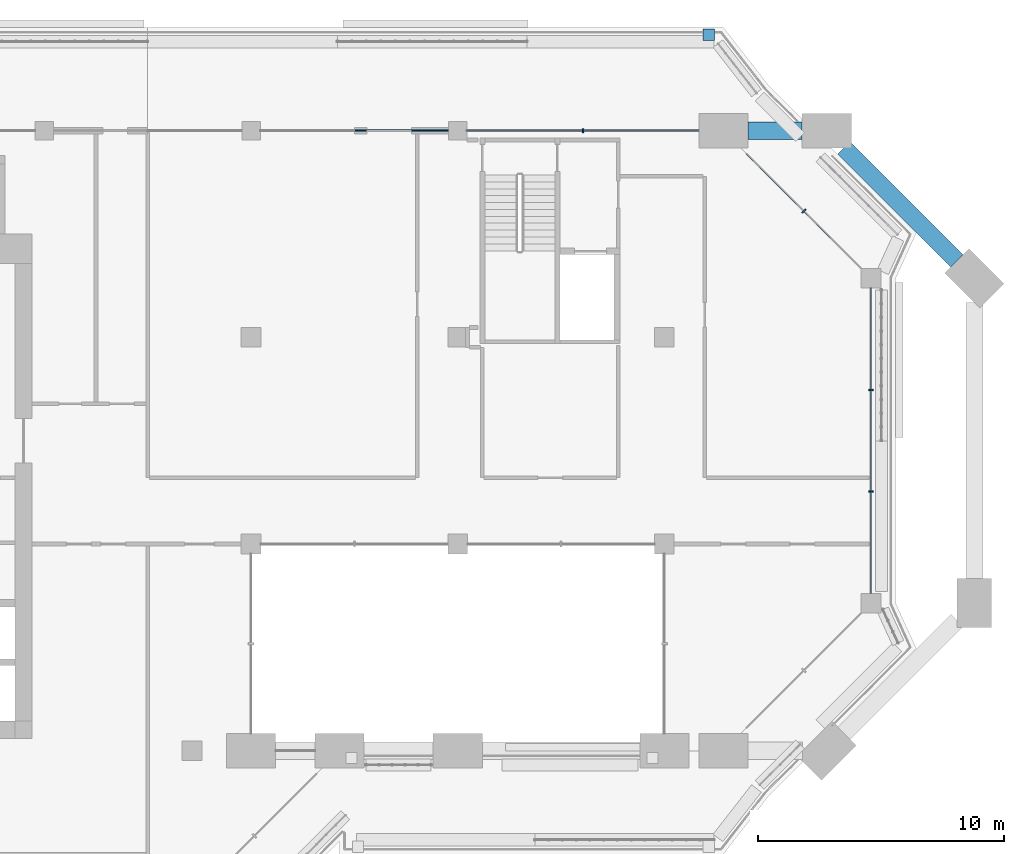
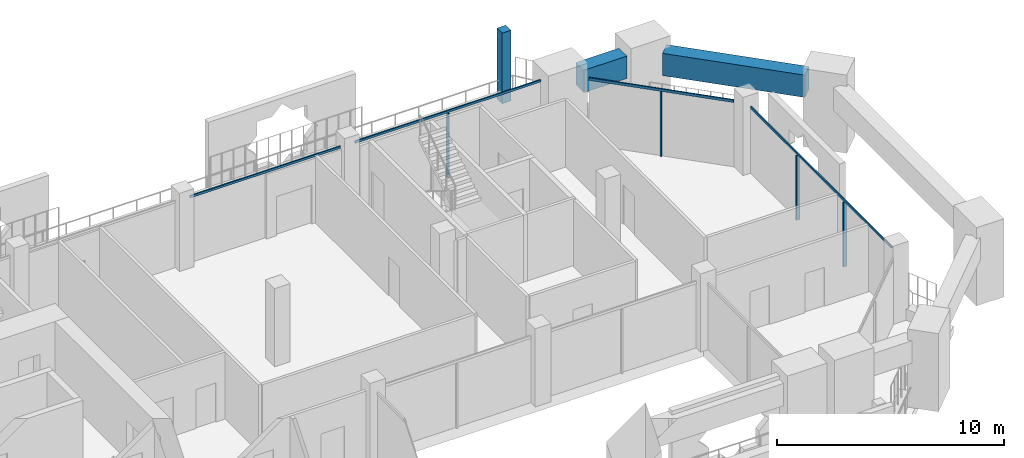
# One storey, part 7 of 22: 9 members, 2 beams, 4 elements without a shape of their own.
"""IFC4 building model written with IfcOpenShell, lengths in metres."""

from ifc_helpers import new_model, si_unit, direction, frame, origin, origin_2d, place, context, subcontext, project, spatial, rectangle, extrude, material, layer, layer_set, material_profile, profile_set, type_object, element, aggregate, save


model = new_model("IFC4")

# Units and contexts
model_context = context("Model", 3, precision=1e-05, world=origin(), true_north=direction((0.0, 1.0)))
body_context = subcontext(model_context, "Body", "Model", "MODEL_VIEW")
ifc_project = project(units=[si_unit("LENGTHUNIT", "METRE"), si_unit("AREAUNIT", "SQUARE_METRE"), si_unit("VOLUMEUNIT", "CUBIC_METRE"), si_unit("PLANEANGLEUNIT", "RADIAN"), si_unit("MASSUNIT", "GRAM", prefix="KILO")], contexts=[model_context])

# Site, building, storey
site_placement = place(None, origin())
site = spatial("IfcSite", under=ifc_project, at=site_placement, CompositionType="ELEMENT")
building_placement = place(site_placement, origin())
building = spatial("IfcBuilding", under=site, at=building_placement, Name="Kawkab Arch Medical Tower", CompositionType="ELEMENT")
storey_placement = place(building_placement, frame((0.0, 0.0, 286.0)))
storey = spatial("IfcBuildingStorey", under=building, at=storey_placement, Name="L66", CompositionType="ELEMENT", Elevation=286.0)

# Curtain wall, members
ifc_material_1 = material(Name="Bronze anodised aluminium curtain wall frame", Category="aluminium")
ifc_layer_1 = layer(ifc_material_1, 0.159912109375)
ifc_layer_set_1 = layer_set([ifc_layer_1], Name="Bronze anodised aluminium curtain wall frame")
curtain_wall_type_1 = type_object("IfcCurtainWallType", Name="CW1 ward curtain wall", PredefinedType="NOTDEFINED", material=ifc_layer_set_1)
placement = place(storey_placement, origin())
curtain_wall_1 = element("IfcCurtainWall", 1, at=placement, inside=storey, type_object=curtain_wall_type_1, Name="CW1 Ward curtain wall R08", PredefinedType="NOTDEFINED")
ifc_material_2 = material(Name="Bronze anodised aluminium curtain wall frame", Category="aluminium")
ifc_material_profile_1 = material_profile(ifc_material_2, rectangle(XDim=0.179931640625, YDim=0.06005859375, at=origin_2d()), Name="AL 60x180")
ifc_profile_set_1 = profile_set([ifc_material_profile_1], Name="Bronze anodised aluminium curtain wall frame")
member_type_1 = type_object("IfcMemberType", Name="CW1 mullion 60 x 180", PredefinedType="MULLION", material=ifc_profile_set_1)
member_1_placement = place(storey_placement, frame((58.800048828125, -14.666748046875, 0.0), z_axis=(0.0, 0.0, 1.0), x_axis=(-1.0, 0.0, 0.0)))
member_1 = element("IfcMember", 2, at=member_1_placement, type_object=member_type_1, Name="CW1 mullion 1.1", PredefinedType="MULLION", context=body_context, shape_type="SweptSolid", body=[
    extrude(rectangle(XDim=0.179931640625, YDim=0.06005859375, at=origin_2d()), origin(), (0.0, 0.0, 1.0), 3.47998046875),
])
member_2_placement = place(storey_placement, frame((58.800048828125, -10.533447265625, 0.0), z_axis=(0.0, 0.0, 1.0), x_axis=(-1.0, 0.0, 0.0)))
member_2 = element("IfcMember", 3, at=member_2_placement, type_object=member_type_1, Name="CW1 mullion 1.2", PredefinedType="MULLION", context=body_context, shape_type="SweptSolid", body=[
    extrude(rectangle(XDim=0.179931640625, YDim=0.06005859375, at=origin_2d()), origin(), (0.0, 0.0, 1.0), 3.47998046875),
])

# Curtain wall, member
curtain_wall_2 = element("IfcCurtainWall", 4, at=placement, inside=storey, type_object=curtain_wall_type_1, Name="CW1 Ward curtain wall R10", PredefinedType="NOTDEFINED")
member_3_placement = place(storey_placement, frame((47.08740234375, 0.0, 0.0), z_axis=(0.0, 0.0, 1.0), x_axis=(0.0, -1.0, 0.0)))
member_3 = element("IfcMember", 5, at=member_3_placement, type_object=member_type_1, Name="CW1 mullion 1.1", PredefinedType="MULLION", context=body_context, shape_type="SweptSolid", body=[
    extrude(rectangle(XDim=0.179931640625, YDim=0.06005859375, at=origin_2d()), origin(), (0.0, 0.0, 1.0), 3.47998046875),
])

# Member
ifc_material_3 = material(Name="Bronze anodised aluminium curtain wall frame", Category="aluminium")
ifc_material_profile_2 = material_profile(ifc_material_3, rectangle(XDim=0.06005859375, YDim=0.1201171875, at=origin_2d()), Name="AL 60x120")
ifc_profile_set_2 = profile_set([ifc_material_profile_2], Name="Bronze anodised aluminium curtain wall frame")
member_type_2 = type_object("IfcMemberType", Name="CW1 transom 120 x 60", PredefinedType="USERDEFINED", material=ifc_profile_set_2)
member_4_placement = place(storey_placement, frame((58.800048828125, -18.800048828125, 3.5400390625), z_axis=(0.0, 1.0, 0.0), x_axis=(-1.0, 0.0, 0.0)))
member_4 = element("IfcMember", 6, at=member_4_placement, type_object=member_type_2, Name="CW1 transom 1", ObjectType="TRANSOM", PredefinedType="USERDEFINED", context=body_context, shape_type="SweptSolid", body=[
    extrude(rectangle(XDim=0.06005859375, YDim=0.1201171875, at=origin_2d()), origin(), (0.0, 0.0, 1.0), 12.400146484375),
])

aggregate(curtain_wall_1, [member_4, member_1, member_2])

member_5_placement = place(storey_placement, frame((51.800048828125, 0.0, 3.5400390625), z_axis=(-1.0, 0.0, 0.0), x_axis=(0.0, -1.0, 0.0)))
member_5 = element("IfcMember", 7, at=member_5_placement, type_object=member_type_2, Name="CW1 transom 1", ObjectType="TRANSOM", PredefinedType="USERDEFINED", context=body_context, shape_type="SweptSolid", body=[
    extrude(rectangle(XDim=0.06005859375, YDim=0.1201171875, at=origin_2d()), origin(), (0.0, 0.0, 1.0), 9.425048828125),
])

member_6_placement = place(storey_placement, frame((41.625, 0.0, 3.5400390625), z_axis=(-1.0, 0.0, 0.0), x_axis=(0.0, -1.0, 0.0)))
member_6 = element("IfcMember", 8, at=member_6_placement, type_object=member_type_2, Name="CW1 transom 2", ObjectType="TRANSOM", PredefinedType="USERDEFINED", context=body_context, shape_type="SweptSolid", body=[
    extrude(rectangle(XDim=0.06005859375, YDim=0.1201171875, at=origin_2d()), origin(), (0.0, 0.0, 1.0), 7.64990234375),
])

aggregate(curtain_wall_2, [member_5, member_3, member_6])

# Curtain wall, members
ifc_material_4 = material(Name="Bronze anodised aluminium curtain wall frame", Category="aluminium")
ifc_layer_2 = layer(ifc_material_4, 0.159912109375)
ifc_layer_set_2 = layer_set([ifc_layer_2], Name="Bronze anodised aluminium curtain wall frame")
curtain_wall_type_2 = type_object("IfcCurtainWallType", Name="CW2 chamfer curtain wall", PredefinedType="NOTDEFINED", material=ifc_layer_set_2)
curtain_wall_3 = element("IfcCurtainWall", 9, at=placement, inside=storey, type_object=curtain_wall_type_2, Name="CW2 Chamfer curtain wall R09", PredefinedType="NOTDEFINED")
ifc_material_5 = material(Name="Bronze anodised aluminium curtain wall frame", Category="aluminium")
ifc_material_profile_3 = material_profile(ifc_material_5, rectangle(XDim=0.199951171875, YDim=0.06005859375, at=origin_2d()), Name="AL 60x200")
ifc_profile_set_3 = profile_set([ifc_material_profile_3], Name="Bronze anodised aluminium curtain wall frame")
member_type_3 = type_object("IfcMemberType", Name="CW2 mullion 60 x 200", PredefinedType="MULLION", material=ifc_profile_set_3)
member_7_placement = place(storey_placement, frame((56.065185546875, -3.26513671875, 0.0), z_axis=(0.0, 0.0, 1.0), x_axis=(-0.707106781187, -0.707106781187, 0.0)))
member_7 = element("IfcMember", 10, at=member_7_placement, type_object=member_type_3, Name="CW2 mullion 1.1", PredefinedType="MULLION", context=body_context, shape_type="SweptSolid", body=[
    extrude(rectangle(XDim=0.199951171875, YDim=0.06005859375, at=origin_2d()), origin(), (0.0, 0.0, 1.0), 3.4599609375),
])
ifc_material_6 = material(Name="Bronze anodised aluminium curtain wall frame", Category="aluminium")
ifc_material_profile_4 = material_profile(ifc_material_6, rectangle(XDim=0.06005859375, YDim=0.139892578125, at=origin_2d()), Name="AL 60x140")
ifc_profile_set_4 = profile_set([ifc_material_profile_4], Name="Bronze anodised aluminium curtain wall frame")
member_type_4 = type_object("IfcMemberType", Name="CW2 transom 140 x 60", PredefinedType="USERDEFINED", material=ifc_profile_set_4)
member_8_placement = place(storey_placement, frame((58.39990234375, -5.60009765625, 3.530029296875), z_axis=(-0.707106781187, 0.707106781187, 0.0), x_axis=(-0.707106781187, -0.707106781187, 0.0)))
member_8 = element("IfcMember", 11, at=member_8_placement, type_object=member_type_4, Name="CW2 transom 1", ObjectType="TRANSOM", PredefinedType="USERDEFINED", context=body_context, shape_type="SweptSolid", body=[
    extrude(rectangle(XDim=0.06005859375, YDim=0.139892578125, at=origin_2d()), origin(), (0.0, 0.0, 1.0), 6.60400390625),
])
aggregate(curtain_wall_3, [member_8, member_7])

# Curtain wall, member
ifc_material_7 = material(Name="Bronze anodised aluminium climber frame, planted", Category="aluminium")
ifc_layer_3 = layer(ifc_material_7, 0.449951171875)
ifc_layer_set_3 = layer_set([ifc_layer_3], Name="Bronze anodised aluminium climber frame, planted")
curtain_wall_type_3 = type_object("IfcCurtainWallType", Name="Planted climber frame", PredefinedType="NOTDEFINED", material=ifc_layer_set_3)
curtain_wall_4 = element("IfcCurtainWall", 12, at=placement, inside=storey, type_object=curtain_wall_type_3, Name="Planted climber frame L66", PredefinedType="NOTDEFINED")
ifc_material_8 = material(Name="Bronze anodised aluminium climber frame, planted", Category="aluminium")
ifc_material_profile_5 = material_profile(ifc_material_8, rectangle(XDim=0.449951171875, YDim=0.449951171875, at=origin_2d()), Name="Post 450x450")
ifc_profile_set_5 = profile_set([ifc_material_profile_5], Name="Bronze anodised aluminium climber frame, planted")
member_type_5 = type_object("IfcMemberType", Name="Planted climber post 450 x 450", PredefinedType="MULLION", material=ifc_profile_set_5)
member_9_placement = place(storey_placement, frame((52.202880859375, 3.89990234375, 0.0), z_axis=(0.0, 0.0, 1.0), x_axis=(1.0, 0.0, 0.0)))
member_9 = element("IfcMember", 13, at=member_9_placement, type_object=member_type_5, Name="Planted climber post L66.LOG-01-02.2", PredefinedType="MULLION", context=body_context, shape_type="SweptSolid", body=[
    extrude(rectangle(XDim=0.449951171875, YDim=0.449951171875, at=origin_2d()), origin(), (0.0, 0.0, 1.0), 3.800048828125),
])
aggregate(curtain_wall_4, [member_9])

# Beams
ifc_material_9 = material(Name="Concrete C40/50", Category="concrete")
ifc_material_profile_6 = material_profile(ifc_material_9, rectangle(XDim=0.699951171875, YDim=1.199951171875, at=origin_2d()), Name="RC 700x1200")
ifc_profile_set_6 = profile_set([ifc_material_profile_6], Name="Concrete C40/50")
beam_type = type_object("IfcBeamType", Name="RC 700x1200 beam C40/50", PredefinedType="BEAM", material=ifc_profile_set_6)
beam_1_placement = place(storey_placement, frame((53.800048828125, 0.0, 3.0), z_axis=(1.0, 0.0, 0.0), x_axis=(0.0, 1.0, 0.0)))
element("IfcBeam", 14, at=beam_1_placement, inside=storey, type_object=beam_type, Name="Terrace frame beam TF-L64-2-L67-01", PredefinedType="BEAM", context=body_context, shape_type="SweptSolid", body=[
    extrude(rectangle(XDim=0.699951171875, YDim=1.199951171875, at=origin_2d()), origin(), (0.0, 0.0, 1.0), 2.199951171875),
])
beam_2_placement = place(storey_placement, frame((57.699951171875, -0.699951171875, 3.0), z_axis=(0.707106781187, -0.707106781187, 0.0), x_axis=(0.707106781187, 0.707106781187, 0.0)))
element("IfcBeam", 15, at=beam_2_placement, inside=storey, type_object=beam_type, Name="Terrace frame beam TF-L64-2-L67-02", PredefinedType="BEAM", context=body_context, shape_type="SweptSolid", body=[
    extrude(rectangle(XDim=0.699951171875, YDim=1.199951171875, at=origin_2d()), origin(), (0.0, 0.0, 1.0), 6.49560546875),
])

save(model, "model.ifc")
